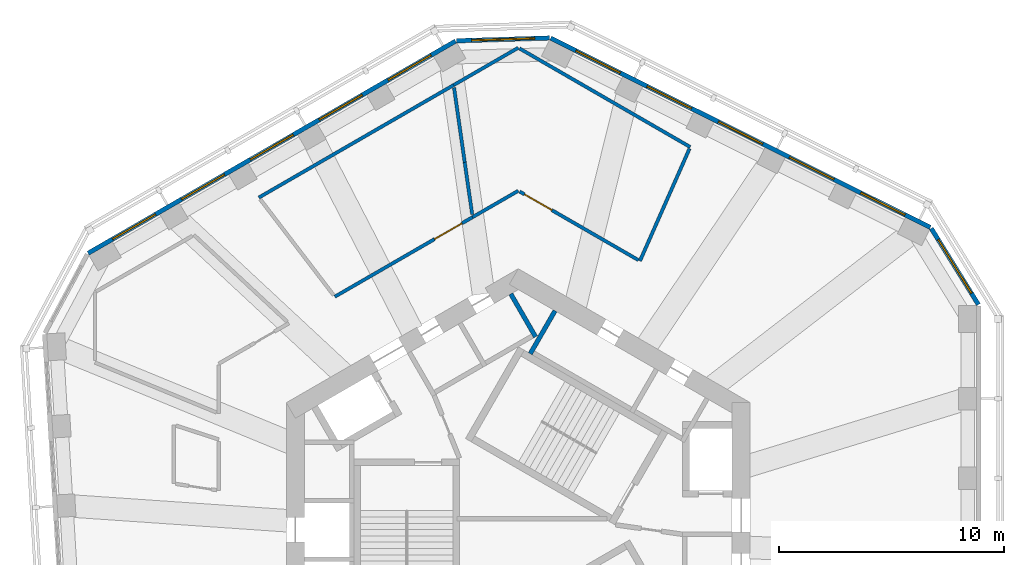
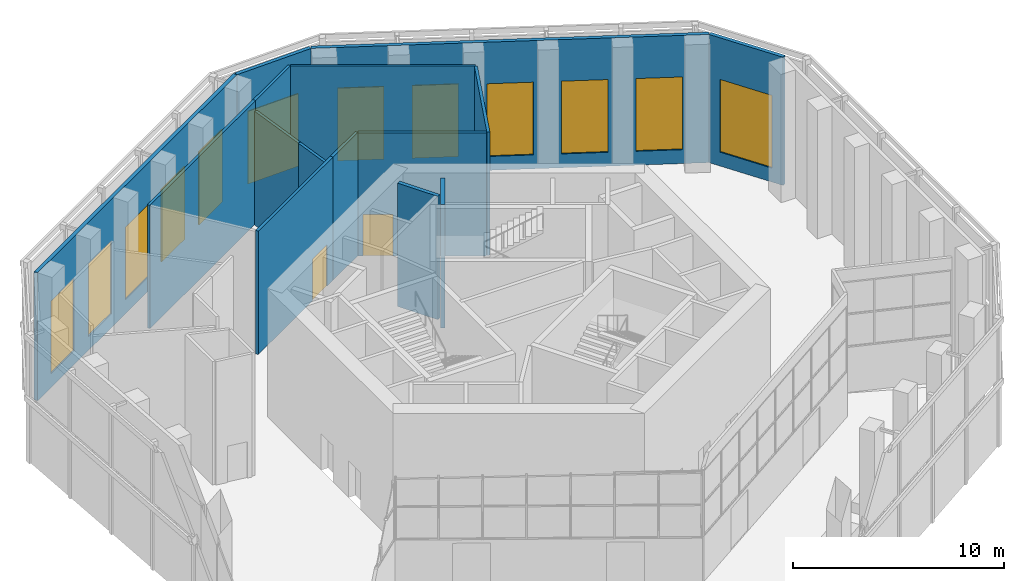
# One storey, part 11 of 17: 15 walls, 12 windows, 2 doors, 14 openings.
"""IFC4 building model written with IfcOpenShell, lengths in metres."""

import ifcopenshell
import ifcopenshell.guid

model = None  # the IFC model being written
_history = None  # IfcOwnerHistory: only IFC2X3 demands one
_inside = {}  # id of a spatial element -> (the spatial element, [elements in it])
_under = {}  # id of a project, library or spatial element -> (it, [spatial elements below it])
_declared = {}  # id of a project -> (the project, [libraries it declares])
_typed = {}  # id of a type object -> (the type object, [elements of that type])
_made_of = {}  # id of a material, layer set ... -> (it, [elements and type objects made of it])


def new_model(schema):
    """Start an empty IFC model of exactly this schema.

    Asked for "IFC4X3", IfcOpenShell would pick the latest addendum, in which some entities
    have other attributes; the version numbers below select the first issue.
    IFC2X3 requires an IfcOwnerHistory on every rooted entity: one is made here for all.
    """
    global model, _history
    if schema == "IFC4X3":
        model = ifcopenshell.file(schema_version=(4, 3, 0, 0))
    else:
        model = ifcopenshell.file(schema=schema)
    _inside.clear()
    _under.clear()
    _declared.clear()
    _typed.clear()
    _made_of.clear()
    _history = None
    if model.schema == "IFC2X3":
        org = make("IfcOrganization", Name="unknown")
        user = make(
            "IfcPersonAndOrganization",
            ThePerson=make("IfcPerson", FamilyName="unknown"),
            TheOrganization=org,
        )
        app = make(
            "IfcApplication",
            ApplicationDeveloper=org,
            Version="unknown",
            ApplicationFullName="unknown",
            ApplicationIdentifier="unknown",
        )
        _history = make(
            "IfcOwnerHistory",
            OwningUser=user,
            OwningApplication=app,
            ChangeAction="ADDED",
            CreationDate=0,
        )
    return model


def make(cls, **values):
    """One entity of the class cls with the attributes given. An attribute that is None is left unset."""
    return model.create_entity(
        cls, **{name: value for name, value in values.items() if value is not None}
    )


def rooted(cls, **values):
    """An entity with a GlobalId (a new one), such as an element, a storey or a relation."""
    return make(cls, GlobalId=ifcopenshell.guid.new(), OwnerHistory=_history, **values)


def si_unit(unit_type, name, prefix=None):
    """IfcSIUnit, for example si_unit("LENGTHUNIT", "METRE", prefix="MILLI")."""
    return make("IfcSIUnit", UnitType=unit_type, Prefix=prefix, Name=name)


def assignment(units):
    """IfcUnitAssignment: the units of a project."""
    return None if units is None else make("IfcUnitAssignment", Units=units)


def point(xyz):
    """IfcCartesianPoint."""
    return None if xyz is None else make("IfcCartesianPoint", Coordinates=xyz)


def direction(xyz):
    """IfcDirection."""
    return None if xyz is None else make("IfcDirection", DirectionRatios=xyz)


def frame(location, z_axis=None, x_axis=None):
    """IfcAxis2Placement3D, a coordinate frame: its origin and axes. An axis left out is left unset."""
    return make(
        "IfcAxis2Placement3D",
        Location=point(location),
        Axis=direction(z_axis),
        RefDirection=direction(x_axis),
    )


def frame_2d(location, x_axis=None):
    """IfcAxis2Placement2D, a coordinate frame in the plane: its origin and x axis."""
    return make(
        "IfcAxis2Placement2D", Location=point(location), RefDirection=direction(x_axis)
    )


def origin():
    """The frame at (0, 0, 0) with its axes left unset."""
    return frame((0.0, 0.0, 0.0))


def place(relative_to, where):
    """IfcLocalPlacement: puts the frame where relative to a parent placement (None: the world)."""
    return make(
        "IfcLocalPlacement", PlacementRelTo=relative_to, RelativePlacement=where
    )


def context(
    kind, dimensions, precision=None, world=None, true_north=None, identifier=None
):
    """IfcGeometricRepresentationContext, for example the 3D "Model" context."""
    return make(
        "IfcGeometricRepresentationContext",
        ContextIdentifier=identifier,
        ContextType=kind,
        CoordinateSpaceDimension=dimensions,
        Precision=precision,
        WorldCoordinateSystem=world,
        TrueNorth=true_north,
    )


def subcontext(parent, identifier, kind, view, scale=None):
    """IfcGeometricRepresentationSubContext, for example "Body" below "Model"."""
    return make(
        "IfcGeometricRepresentationSubContext",
        ContextIdentifier=identifier,
        ContextType=kind,
        ParentContext=parent,
        TargetScale=scale,
        TargetView=view,
    )


def project(units=None, contexts=None):
    """IfcProject with its units and contexts."""
    return rooted(
        "IfcProject",
        Name="project",
        RepresentationContexts=contexts,
        UnitsInContext=assignment(units),
    )


def spatial(cls, under=None, at=None, **own):
    """A site, building, storey or space (cls), placed at a placement, below another one or the project."""
    s = rooted(cls, ObjectPlacement=at, **own)
    if under is not None:
        _under.setdefault(under.id(), (under, []))[1].append(s)
    return s


def profile(cls, at=None, kind="AREA", **sizes):
    """A parametric profile (cls). Its sizes go by their IFC names, for example OverallWidth=200.0."""
    return make(cls, ProfileType=kind, Position=at, **sizes)


def rectangle(**sizes):
    """IfcRectangleProfileDef."""
    return profile("IfcRectangleProfileDef", **sizes)


def extrude(swept, where, along, depth):
    """IfcExtrudedAreaSolid: the profile swept, set in the frame where, extruded along a direction by depth."""
    return make(
        "IfcExtrudedAreaSolid",
        SweptArea=swept,
        Position=where,
        ExtrudedDirection=direction(along),
        Depth=depth,
    )


def shape(context_of_items, identifier, shape_type, items):
    """IfcShapeRepresentation: the items that make up one representation, for example the "Body"."""
    return make(
        "IfcShapeRepresentation",
        ContextOfItems=context_of_items,
        RepresentationIdentifier=identifier,
        RepresentationType=shape_type,
        Items=items,
    )


def material(Name=None, Category=None):
    """IfcMaterial."""
    return make("IfcMaterial", Name=Name, Category=Category)


def layer(
    of_material, thickness, ventilated=None, Name=None, Category=None, Priority=None
):
    """IfcMaterialLayer: one layer of a wall or slab, of a material (None: an air gap)."""
    return make(
        "IfcMaterialLayer",
        Material=of_material,
        LayerThickness=thickness,
        IsVentilated=ventilated,
        Name=Name,
        Category=Category,
        Priority=Priority,
    )


def layer_set(layers, Name=None):
    """IfcMaterialLayerSet."""
    return make("IfcMaterialLayerSet", MaterialLayers=layers, LayerSetName=Name)


def made_of(thing, what):
    """Note that an element or type object is made of a material, layer set ...; save() writes the relation."""
    if what is not None:
        _made_of.setdefault(what.id(), (what, []))[1].append(thing)
    return thing


def type_object(cls, material=None, **own):
    """A type object (cls), such as IfcWallType, which elements share."""
    return made_of(rooted(cls, **own), material)


def element(
    cls,
    number,
    at=None,
    inside=None,
    cuts=None,
    type_object=None,
    material=None,
    context=None,
    identifier="Body",
    shape_type=None,
    held_by="IfcProductDefinitionShape",
    body=None,
    shapes=None,
    **own,
):
    """One element of the class cls, such as IfcWall. Its Tag is "e" and its number.

    at: its placement. inside: the storey or other place that contains it. cuts: it is an
    opening in that element (IfcRelVoidsElement). A single representation is given by context,
    identifier, shape_type and body (its items); several are given by shapes. held_by: the class
    of the entity that holds the representations. save() writes the other relations.
    """
    e = rooted(cls, Tag="e%d" % number, ObjectPlacement=at, **own)
    if body is not None:
        shapes = [shape(context, identifier, shape_type, body)]
    if shapes is not None:
        e.Representation = make(held_by, Representations=shapes)
    if inside is not None:
        _inside.setdefault(inside.id(), (inside, []))[1].append(e)
    if cuts is not None:
        rooted(
            "IfcRelVoidsElement", RelatingBuildingElement=cuts, RelatedOpeningElement=e
        )
    if type_object is not None:
        _typed.setdefault(type_object.id(), (type_object, []))[1].append(e)
    return made_of(e, material)


def fill(opening, filler):
    """IfcRelFillsElement: the door or window that sits in an opening."""
    return rooted(
        "IfcRelFillsElement",
        RelatingOpeningElement=opening,
        RelatedBuildingElement=filler,
    )


def aggregate(whole, parts):
    """IfcRelAggregates: a whole, such as a stair, and the parts it consists of."""
    return rooted("IfcRelAggregates", RelatingObject=whole, RelatedObjects=parts)


def save(model, path):
    """Write the relations noted so far, then the file.

    IfcRelAggregates (storeys below a building ...), IfcRelContainedInSpatialStructure (elements
    in a storey), IfcRelDefinesByType, IfcRelAssociatesMaterial and IfcRelDeclares: one each for
    every whole, place, type object, material and project.
    """
    for whole, parts in _under.values():
        aggregate(whole, parts)
    for where, things in _inside.values():
        rooted(
            "IfcRelContainedInSpatialStructure",
            RelatedElements=things,
            RelatingStructure=where,
        )
    for kind, things in _typed.values():
        rooted("IfcRelDefinesByType", RelatedObjects=things, RelatingType=kind)
    for what, things in _made_of.values():
        rooted("IfcRelAssociatesMaterial", RelatedObjects=things, RelatingMaterial=what)
    for by, libraries in _declared.values():
        rooted("IfcRelDeclares", RelatingContext=by, RelatedDefinitions=libraries)
    model.write(path)


model = new_model("IFC4")

# Units and contexts
model_context = context("Model", 3, precision=1e-05, world=origin(), true_north=direction((0.0, 1.0)))
body_context = subcontext(model_context, "Body", "Model", "MODEL_VIEW")
ifc_project = project(units=[si_unit("LENGTHUNIT", "METRE"), si_unit("AREAUNIT", "SQUARE_METRE"), si_unit("VOLUMEUNIT", "CUBIC_METRE"), si_unit("PLANEANGLEUNIT", "RADIAN"), si_unit("MASSUNIT", "GRAM", prefix="KILO")], contexts=[model_context])

# Site, building, storey
site_placement = place(None, origin())
site = spatial("IfcSite", under=ifc_project, at=site_placement, CompositionType="ELEMENT")
building_placement = place(site_placement, origin())
building = spatial("IfcBuilding", under=site, at=building_placement, Name="Vanh Sen Convention Tower", CompositionType="ELEMENT")
storey_placement = place(building_placement, frame((0.0, 0.0, 214.300048828125)))
storey = spatial("IfcBuildingStorey", under=building, at=storey_placement, Name="L53", CompositionType="ELEMENT", Elevation=214.300048828125)

# Wall, opening, window
ifc_material_1 = material(Name="Insulated lightweight infill wall")
ifc_layer_1 = layer(ifc_material_1, 0.199951171875)
ifc_layer_set_1 = layer_set([ifc_layer_1], Name="Insulated lightweight infill wall")
wall_type_1 = type_object("IfcWallType", Name="External wall 200", PredefinedType="STANDARD", material=ifc_layer_set_1)
wall_1_placement = place(storey_placement, frame((20.43505859375, 10.3037109375, 0.0), z_axis=(0.0, 0.0, 1.0), x_axis=(-0.526202661606, 0.850359194058, 0.0)))
wall_1 = element("IfcWall", 1, at=wall_1_placement, inside=storey, type_object=wall_type_1, Name="External wall CH1 L53", PredefinedType="STANDARD", context=body_context, shape_type="SweptSolid", body=[
    extrude(rectangle(XDim=3.982666015625, YDim=0.199951171875, at=frame_2d((1.9912109375, 0.0))), origin(), (0.0, 0.0, 1.0), 7.39990234375),
])
opening_1_placement = place(wall_1_placement, frame((0.59130859375, 0.0, 0.800048828125)))
opening_1 = element("IfcOpeningElement", 2, at=opening_1_placement, cuts=wall_1, Name="Opening WS3-CH11", PredefinedType="OPENING", context=body_context, shape_type="SweptSolid", body=[
    extrude(rectangle(XDim=2.800048828125, YDim=4.199951171875, at=frame_2d((1.39990234375, 2.10009765625))), frame((0.0, 0.10986328125, 0.0), z_axis=(0.0, -1.0, 0.0), x_axis=(1.0, 0.0, 0.0)), (0.0, 0.0, 1.0), 0.219970703125),
])
ifc_material_2 = material(Name="Aluminium frame with clear low-emissivity glass", Category="aluminium")
window_type_1 = type_object("IfcWindowType", Name="Sky garden window 2800 x 4200", PartitioningType="SINGLE_PANEL", PredefinedType="WINDOW", material=ifc_material_2)
window_1_placement = place(opening_1_placement, origin())
window_1 = element("IfcWindow", 3, at=window_1_placement, inside=storey, type_object=window_type_1, Name="Window WS3-CH11", OverallHeight=4.199951171875, OverallWidth=2.800048828125, PartitioningType="SINGLE_PANEL", PredefinedType="WINDOW", context=body_context, shape_type="SweptSolid", body=[
    extrude(rectangle(XDim=2.800048828125, YDim=4.199951171875, at=frame_2d((1.39990234375, 2.10009765625))), frame((0.0, 0.030029296875, 0.0), z_axis=(0.0, -1.0, 0.0), x_axis=(1.0, 0.0, 0.0)), (0.0, 0.0, 1.0), 0.06005859375),
])
fill(opening_1, window_1)

# Wall, openings, windows
wall_2_placement = place(storey_placement, frame((18.298828125, 13.727294921875, 0.0), z_axis=(0.0, 0.0, 1.0), x_axis=(-0.894934554817, 0.44619742558, 0.0)))
wall_2 = element("IfcWall", 4, at=wall_2_placement, inside=storey, type_object=wall_type_1, Name="External wall NE L53", PredefinedType="STANDARD", context=body_context, shape_type="SweptSolid", body=[
    extrude(rectangle(XDim=18.84130859375, YDim=0.199951171875, at=frame_2d((9.420654296875, 0.0))), origin(), (0.0, 0.0, 1.0), 7.39990234375),
])
opening_2_placement = place(wall_2_placement, frame((1.252685546875, 0.0, 0.800048828125)))
opening_2 = element("IfcOpeningElement", 5, at=opening_2_placement, cuts=wall_2, Name="Opening WS4-NE1", PredefinedType="OPENING", context=body_context, shape_type="SweptSolid", body=[
    extrude(rectangle(XDim=2.199951171875, YDim=4.199951171875, at=frame_2d((1.10009765625, 2.10009765625))), frame((0.0, 0.10986328125, 0.0), z_axis=(0.0, -1.0, 0.0), x_axis=(1.0, 0.0, 0.0)), (0.0, 0.0, 1.0), 0.219970703125),
])
opening_3_placement = place(wall_2_placement, frame((4.7861328125, 0.0, 0.800048828125)))
opening_3 = element("IfcOpeningElement", 6, at=opening_3_placement, cuts=wall_2, Name="Opening WS4-NE2", PredefinedType="OPENING", context=body_context, shape_type="SweptSolid", body=[
    extrude(rectangle(XDim=2.199951171875, YDim=4.199951171875, at=frame_2d((1.10009765625, 2.10009765625))), frame((0.0, 0.10986328125, 0.0), z_axis=(0.0, -1.0, 0.0), x_axis=(1.0, 0.0, 0.0)), (0.0, 0.0, 1.0), 0.219970703125),
])
opening_4_placement = place(wall_2_placement, frame((8.31982421875, 0.0, 0.800048828125)))
opening_4 = element("IfcOpeningElement", 7, at=opening_4_placement, cuts=wall_2, Name="Opening WS4-NE3", PredefinedType="OPENING", context=body_context, shape_type="SweptSolid", body=[
    extrude(rectangle(XDim=2.199951171875, YDim=4.199951171875, at=frame_2d((1.10009765625, 2.10009765625))), frame((0.0, 0.10986328125, 0.0), z_axis=(0.0, -1.0, 0.0), x_axis=(1.0, 0.0, 0.0)), (0.0, 0.0, 1.0), 0.219970703125),
])
opening_5_placement = place(wall_2_placement, frame((11.853515625, 0.0, 0.800048828125)))
opening_5 = element("IfcOpeningElement", 8, at=opening_5_placement, cuts=wall_2, Name="Opening WS4-NE4", PredefinedType="OPENING", context=body_context, shape_type="SweptSolid", body=[
    extrude(rectangle(XDim=2.199951171875, YDim=4.199951171875, at=frame_2d((1.10009765625, 2.10009765625))), frame((0.0, 0.10986328125, 0.0), z_axis=(0.0, -1.0, 0.0), x_axis=(1.0, 0.0, 0.0)), (0.0, 0.0, 1.0), 0.219970703125),
])
opening_6_placement = place(wall_2_placement, frame((15.38720703125, 0.0, 0.800048828125)))
opening_6 = element("IfcOpeningElement", 9, at=opening_6_placement, cuts=wall_2, Name="Opening WS4-NE5", PredefinedType="OPENING", context=body_context, shape_type="SweptSolid", body=[
    extrude(rectangle(XDim=2.199951171875, YDim=4.199951171875, at=frame_2d((1.10009765625, 2.10009765625))), frame((0.0, 0.10986328125, 0.0), z_axis=(0.0, -1.0, 0.0), x_axis=(1.0, 0.0, 0.0)), (0.0, 0.0, 1.0), 0.219970703125),
])
window_type_2 = type_object("IfcWindowType", Name="Sky garden window 2200 x 4200", PartitioningType="SINGLE_PANEL", PredefinedType="WINDOW", material=ifc_material_2)
window_2_placement = place(opening_2_placement, origin())
window_2 = element("IfcWindow", 10, at=window_2_placement, inside=storey, type_object=window_type_2, Name="Window WS4-NE1", OverallHeight=4.199951171875, OverallWidth=2.199951171875, PartitioningType="SINGLE_PANEL", PredefinedType="WINDOW", context=body_context, shape_type="SweptSolid", body=[
    extrude(rectangle(XDim=2.199951171875, YDim=4.199951171875, at=frame_2d((1.10009765625, 2.10009765625))), frame((0.0, 0.030029296875, 0.0), z_axis=(0.0, -1.0, 0.0), x_axis=(1.0, 0.0, 0.0)), (0.0, 0.0, 1.0), 0.06005859375),
])
fill(opening_2, window_2)
window_3_placement = place(opening_3_placement, origin())
window_3 = element("IfcWindow", 11, at=window_3_placement, inside=storey, type_object=window_type_2, Name="Window WS4-NE2", OverallHeight=4.199951171875, OverallWidth=2.199951171875, PartitioningType="SINGLE_PANEL", PredefinedType="WINDOW", context=body_context, shape_type="SweptSolid", body=[
    extrude(rectangle(XDim=2.199951171875, YDim=4.199951171875, at=frame_2d((1.10009765625, 2.10009765625))), frame((0.0, 0.030029296875, 0.0), z_axis=(0.0, -1.0, 0.0), x_axis=(1.0, 0.0, 0.0)), (0.0, 0.0, 1.0), 0.06005859375),
])
fill(opening_3, window_3)
window_4_placement = place(opening_4_placement, origin())
window_4 = element("IfcWindow", 12, at=window_4_placement, inside=storey, type_object=window_type_2, Name="Window WS4-NE3", OverallHeight=4.199951171875, OverallWidth=2.199951171875, PartitioningType="SINGLE_PANEL", PredefinedType="WINDOW", context=body_context, shape_type="SweptSolid", body=[
    extrude(rectangle(XDim=2.199951171875, YDim=4.199951171875, at=frame_2d((1.10009765625, 2.10009765625))), frame((0.0, 0.030029296875, 0.0), z_axis=(0.0, -1.0, 0.0), x_axis=(1.0, 0.0, 0.0)), (0.0, 0.0, 1.0), 0.06005859375),
])
fill(opening_4, window_4)
window_5_placement = place(opening_5_placement, origin())
window_5 = element("IfcWindow", 13, at=window_5_placement, inside=storey, type_object=window_type_2, Name="Window WS4-NE4", OverallHeight=4.199951171875, OverallWidth=2.199951171875, PartitioningType="SINGLE_PANEL", PredefinedType="WINDOW", context=body_context, shape_type="SweptSolid", body=[
    extrude(rectangle(XDim=2.199951171875, YDim=4.199951171875, at=frame_2d((1.10009765625, 2.10009765625))), frame((0.0, 0.030029296875, 0.0), z_axis=(0.0, -1.0, 0.0), x_axis=(1.0, 0.0, 0.0)), (0.0, 0.0, 1.0), 0.06005859375),
])
fill(opening_5, window_5)
window_6_placement = place(opening_6_placement, origin())
window_6 = element("IfcWindow", 14, at=window_6_placement, inside=storey, type_object=window_type_2, Name="Window WS4-NE5", OverallHeight=4.199951171875, OverallWidth=2.199951171875, PartitioningType="SINGLE_PANEL", PredefinedType="WINDOW", context=body_context, shape_type="SweptSolid", body=[
    extrude(rectangle(XDim=2.199951171875, YDim=4.199951171875, at=frame_2d((1.10009765625, 2.10009765625))), frame((0.0, 0.030029296875, 0.0), z_axis=(0.0, -1.0, 0.0), x_axis=(1.0, 0.0, 0.0)), (0.0, 0.0, 1.0), 0.06005859375),
])
fill(opening_6, window_6)

# Wall, opening, window
wall_3_placement = place(storey_placement, frame((1.389404296875, 22.144775390625, 0.0), z_axis=(0.0, 0.0, 1.0), x_axis=(-0.999534702881, -0.030502093955, 0.0)))
wall_3 = element("IfcWall", 15, at=wall_3_placement, inside=storey, type_object=wall_type_1, Name="External wall CH2 L53", PredefinedType="STANDARD", context=body_context, shape_type="SweptSolid", body=[
    extrude(rectangle(XDim=4.130126953125, YDim=0.199951171875, at=frame_2d((2.06494140625, 0.0))), origin(), (0.0, 0.0, 1.0), 7.39990234375),
])
opening_7_placement = place(wall_3_placement, frame((0.6650390625, 0.0, 0.800048828125)))
opening_7 = element("IfcOpeningElement", 16, at=opening_7_placement, cuts=wall_3, Name="Opening WS3-CH21", PredefinedType="OPENING", context=body_context, shape_type="SweptSolid", body=[
    extrude(rectangle(XDim=2.800048828125, YDim=4.199951171875, at=frame_2d((1.39990234375, 2.10009765625))), frame((0.0, 0.10986328125, 0.0), z_axis=(0.0, -1.0, 0.0), x_axis=(1.0, 0.0, 0.0)), (0.0, 0.0, 1.0), 0.219970703125),
])
window_7_placement = place(opening_7_placement, origin())
window_7 = element("IfcWindow", 17, at=window_7_placement, inside=storey, type_object=window_type_1, Name="Window WS3-CH21", OverallHeight=4.199951171875, OverallWidth=2.800048828125, PartitioningType="SINGLE_PANEL", PredefinedType="WINDOW", context=body_context, shape_type="SweptSolid", body=[
    extrude(rectangle(XDim=2.800048828125, YDim=4.199951171875, at=frame_2d((1.39990234375, 2.10009765625))), frame((0.0, 0.030029296875, 0.0), z_axis=(0.0, -1.0, 0.0), x_axis=(1.0, 0.0, 0.0)), (0.0, 0.0, 1.0), 0.06005859375),
])
fill(opening_7, window_7)

# Wall, openings, windows
wall_4_placement = place(storey_placement, frame((-2.78564453125, 22.00537109375, 0.0), z_axis=(0.0, 0.0, 1.0), x_axis=(-0.866026555358, -0.49999800541, 0.0)))
wall_4 = element("IfcWall", 18, at=wall_4_placement, inside=storey, type_object=wall_type_1, Name="External wall NW L53", PredefinedType="STANDARD", context=body_context, shape_type="SweptSolid", body=[
    extrude(rectangle(XDim=18.84130859375, YDim=0.199951171875, at=frame_2d((9.420654296875, 0.0))), origin(), (0.0, 0.0, 1.0), 7.39990234375),
])
opening_8_placement = place(wall_4_placement, frame((1.254150390625, 0.0, 0.800048828125)))
opening_8 = element("IfcOpeningElement", 19, at=opening_8_placement, cuts=wall_4, Name="Opening WS4-NW1", PredefinedType="OPENING", context=body_context, shape_type="SweptSolid", body=[
    extrude(rectangle(XDim=2.199951171875, YDim=4.199951171875, at=frame_2d((1.10009765625, 2.10009765625))), frame((0.0, 0.10986328125, 0.0), z_axis=(0.0, -1.0, 0.0), x_axis=(1.0, 0.0, 0.0)), (0.0, 0.0, 1.0), 0.219970703125),
])
opening_9_placement = place(wall_4_placement, frame((4.787841796875, 0.0, 0.800048828125)))
opening_9 = element("IfcOpeningElement", 20, at=opening_9_placement, cuts=wall_4, Name="Opening WS4-NW2", PredefinedType="OPENING", context=body_context, shape_type="SweptSolid", body=[
    extrude(rectangle(XDim=2.199951171875, YDim=4.199951171875, at=frame_2d((1.10009765625, 2.10009765625))), frame((0.0, 0.10986328125, 0.0), z_axis=(0.0, -1.0, 0.0), x_axis=(1.0, 0.0, 0.0)), (0.0, 0.0, 1.0), 0.219970703125),
])
opening_10_placement = place(wall_4_placement, frame((8.3212890625, 0.0, 0.800048828125)))
opening_10 = element("IfcOpeningElement", 21, at=opening_10_placement, cuts=wall_4, Name="Opening WS4-NW3", PredefinedType="OPENING", context=body_context, shape_type="SweptSolid", body=[
    extrude(rectangle(XDim=2.199951171875, YDim=4.199951171875, at=frame_2d((1.10009765625, 2.10009765625))), frame((0.0, 0.10986328125, 0.0), z_axis=(0.0, -1.0, 0.0), x_axis=(1.0, 0.0, 0.0)), (0.0, 0.0, 1.0), 0.219970703125),
])
opening_11_placement = place(wall_4_placement, frame((11.85498046875, 0.0, 0.800048828125)))
opening_11 = element("IfcOpeningElement", 22, at=opening_11_placement, cuts=wall_4, Name="Opening WS4-NW4", PredefinedType="OPENING", context=body_context, shape_type="SweptSolid", body=[
    extrude(rectangle(XDim=2.199951171875, YDim=4.199951171875, at=frame_2d((1.10009765625, 2.10009765625))), frame((0.0, 0.10986328125, 0.0), z_axis=(0.0, -1.0, 0.0), x_axis=(1.0, 0.0, 0.0)), (0.0, 0.0, 1.0), 0.219970703125),
])
opening_12_placement = place(wall_4_placement, frame((15.388671875, 0.0, 0.800048828125)))
opening_12 = element("IfcOpeningElement", 23, at=opening_12_placement, cuts=wall_4, Name="Opening WS4-NW5", PredefinedType="OPENING", context=body_context, shape_type="SweptSolid", body=[
    extrude(rectangle(XDim=2.199951171875, YDim=4.199951171875, at=frame_2d((1.10009765625, 2.10009765625))), frame((0.0, 0.10986328125, 0.0), z_axis=(0.0, -1.0, 0.0), x_axis=(1.0, 0.0, 0.0)), (0.0, 0.0, 1.0), 0.219970703125),
])
window_8_placement = place(opening_8_placement, origin())
window_8 = element("IfcWindow", 24, at=window_8_placement, inside=storey, type_object=window_type_2, Name="Window WS4-NW1", OverallHeight=4.199951171875, OverallWidth=2.199951171875, PartitioningType="SINGLE_PANEL", PredefinedType="WINDOW", context=body_context, shape_type="SweptSolid", body=[
    extrude(rectangle(XDim=2.199951171875, YDim=4.199951171875, at=frame_2d((1.10009765625, 2.10009765625))), frame((0.0, 0.030029296875, 0.0), z_axis=(0.0, -1.0, 0.0), x_axis=(1.0, 0.0, 0.0)), (0.0, 0.0, 1.0), 0.06005859375),
])
fill(opening_8, window_8)
window_9_placement = place(opening_9_placement, origin())
window_9 = element("IfcWindow", 25, at=window_9_placement, inside=storey, type_object=window_type_2, Name="Window WS4-NW2", OverallHeight=4.199951171875, OverallWidth=2.199951171875, PartitioningType="SINGLE_PANEL", PredefinedType="WINDOW", context=body_context, shape_type="SweptSolid", body=[
    extrude(rectangle(XDim=2.199951171875, YDim=4.199951171875, at=frame_2d((1.10009765625, 2.10009765625))), frame((0.0, 0.030029296875, 0.0), z_axis=(0.0, -1.0, 0.0), x_axis=(1.0, 0.0, 0.0)), (0.0, 0.0, 1.0), 0.06005859375),
])
fill(opening_9, window_9)
window_10_placement = place(opening_10_placement, origin())
window_10 = element("IfcWindow", 26, at=window_10_placement, inside=storey, type_object=window_type_2, Name="Window WS4-NW3", OverallHeight=4.199951171875, OverallWidth=2.199951171875, PartitioningType="SINGLE_PANEL", PredefinedType="WINDOW", context=body_context, shape_type="SweptSolid", body=[
    extrude(rectangle(XDim=2.199951171875, YDim=4.199951171875, at=frame_2d((1.10009765625, 2.10009765625))), frame((0.0, 0.030029296875, 0.0), z_axis=(0.0, -1.0, 0.0), x_axis=(1.0, 0.0, 0.0)), (0.0, 0.0, 1.0), 0.06005859375),
])
fill(opening_10, window_10)
window_11_placement = place(opening_11_placement, origin())
window_11 = element("IfcWindow", 27, at=window_11_placement, inside=storey, type_object=window_type_2, Name="Window WS4-NW4", OverallHeight=4.199951171875, OverallWidth=2.199951171875, PartitioningType="SINGLE_PANEL", PredefinedType="WINDOW", context=body_context, shape_type="SweptSolid", body=[
    extrude(rectangle(XDim=2.199951171875, YDim=4.199951171875, at=frame_2d((1.10009765625, 2.10009765625))), frame((0.0, 0.030029296875, 0.0), z_axis=(0.0, -1.0, 0.0), x_axis=(1.0, 0.0, 0.0)), (0.0, 0.0, 1.0), 0.06005859375),
])
fill(opening_11, window_11)
window_12_placement = place(opening_12_placement, origin())
window_12 = element("IfcWindow", 28, at=window_12_placement, inside=storey, type_object=window_type_2, Name="Window WS4-NW5", OverallHeight=4.199951171875, OverallWidth=2.199951171875, PartitioningType="SINGLE_PANEL", PredefinedType="WINDOW", context=body_context, shape_type="SweptSolid", body=[
    extrude(rectangle(XDim=2.199951171875, YDim=4.199951171875, at=frame_2d((1.10009765625, 2.10009765625))), frame((0.0, 0.030029296875, 0.0), z_axis=(0.0, -1.0, 0.0), x_axis=(1.0, 0.0, 0.0)), (0.0, 0.0, 1.0), 0.06005859375),
])
fill(opening_12, window_12)

# Walls
ifc_material_3 = material(Name="Concrete C40/50", Category="concrete")
ifc_layer_2 = layer(ifc_material_3, 0.199951171875)
ifc_layer_set_2 = layer_set([ifc_layer_2], Name="Concrete C40/50")
wall_type_2 = type_object("IfcWallType", Name="Lift shaft wall 200", PredefinedType="PARTITIONING", material=ifc_layer_set_2)
wall_5_placement = place(storey_placement, frame((0.5322265625, 8.1220703125, 0.0), z_axis=(0.0, 0.0, 1.0), x_axis=(0.500077893725, 0.86598042715, 0.0)))
element("IfcWall", 29, at=wall_5_placement, inside=storey, type_object=wall_type_2, Name="Lift shaft wall L53", PredefinedType="PARTITIONING", context=body_context, shape_type="SweptSolid", body=[
    extrude(rectangle(XDim=2.199951171875, YDim=0.199951171875, at=frame_2d((1.10009765625, 0.0))), origin(), (0.0, 0.0, 1.0), 7.119873046875),
])
wall_6_placement = place(storey_placement, frame((0.7666015625, 8.8720703125, 0.0), z_axis=(0.0, 0.0, 1.0), x_axis=(-0.499994660107, 0.866028486751, 0.0)))
element("IfcWall", 30, at=wall_6_placement, inside=storey, type_object=wall_type_2, Name="Lift shaft wall L53", PredefinedType="PARTITIONING", context=body_context, shape_type="SweptSolid", body=[
    extrude(rectangle(XDim=2.19970703125, YDim=0.199951171875, at=frame_2d((1.099853515625, 0.0))), origin(), (0.0, 0.0, 1.0), 7.119873046875),
])

# Wall, opening, door
ifc_material_4 = material(Name="Gypsum board on steel studs", Category="steel")
ifc_layer_3 = layer(ifc_material_4, 0.14990234375)
ifc_layer_set_3 = layer_set([ifc_layer_3], Name="Gypsum board on steel studs")
wall_type_3 = type_object("IfcWallType", Name="Partition 150 EI 60", PredefinedType="PARTITIONING", material=ifc_layer_set_3)
wall_7_placement = place(storey_placement, frame((5.332763671875, 12.279052734375, 0.0), z_axis=(0.0, 0.0, 1.0), x_axis=(-0.86606339888, 0.499934184788, 0.0)))
wall_7 = element("IfcWall", 31, at=wall_7_placement, inside=storey, type_object=wall_type_3, Name="Partition L53-012", PredefinedType="PARTITIONING", context=body_context, shape_type="SweptSolid", body=[
    extrude(rectangle(XDim=6.088623046875, YDim=0.14990234375, at=frame_2d((3.04443359375, 0.0))), origin(), (0.0, 0.0, 1.0), 7.119873046875),
])
opening_13_placement = place(wall_7_placement, frame((4.438720703125, 0.0, 0.0)))
opening_13 = element("IfcOpeningElement", 32, at=opening_13_placement, cuts=wall_7, Name="Opening D53103", PredefinedType="OPENING", context=body_context, shape_type="SweptSolid", body=[
    extrude(rectangle(XDim=1.39990234375, YDim=2.39990234375, at=frame_2d((0.699951171875, 1.199951171875))), frame((0.0, 0.0849609375, 0.0), z_axis=(0.0, -1.0, 0.0), x_axis=(1.0, 0.0, 0.0)), (0.0, 0.0, 1.0), 0.169921875),
])
ifc_material_5 = material(Name="Timber door in steel frame", Category="steel")
door_type = type_object("IfcDoorType", Name="Double door 1400 EI 30", OperationType="SINGLE_SWING_LEFT", PredefinedType="DOOR", material=ifc_material_5)
door_1_placement = place(opening_13_placement, origin())
door_1 = element("IfcDoor", 33, at=door_1_placement, inside=storey, type_object=door_type, Name="Double door D53103", OperationType="SINGLE_SWING_LEFT", OverallHeight=2.39990234375, OverallWidth=1.39990234375, PredefinedType="DOOR", context=body_context, shape_type="SweptSolid", body=[
    extrude(rectangle(XDim=1.39990234375, YDim=2.39990234375, at=frame_2d((0.699951171875, 1.199951171875))), frame((0.0, 0.02490234375, 0.0), z_axis=(0.0, -1.0, 0.0), x_axis=(1.0, 0.0, 0.0)), (0.0, 0.0, 1.0), 0.050048828125),
])
fill(opening_13, door_1)

wall_8_placement = place(storey_placement, frame((-2.029541015625, 14.185546875, 0.0), z_axis=(0.0, 0.0, 1.0), x_axis=(-0.866034287694, -0.499984612302, 0.0)))
wall_8 = element("IfcWall", 34, at=wall_8_placement, inside=storey, type_object=wall_type_3, Name="Partition L53-014", PredefinedType="PARTITIONING", context=body_context, shape_type="SweptSolid", body=[
    extrude(rectangle(XDim=7.067138671875, YDim=0.14990234375, at=frame_2d((3.53369140625, 0.0))), origin(), (0.0, 0.0, 1.0), 7.119873046875),
])
opening_14_placement = place(wall_8_placement, frame((0.550048828125, 0.0, 0.0)))
opening_14 = element("IfcOpeningElement", 35, at=opening_14_placement, cuts=wall_8, Name="Opening D53104", PredefinedType="OPENING", context=body_context, shape_type="SweptSolid", body=[
    extrude(rectangle(XDim=1.39990234375, YDim=2.39990234375, at=frame_2d((0.699951171875, 1.199951171875))), frame((0.0, 0.0849609375, 0.0), z_axis=(0.0, -1.0, 0.0), x_axis=(1.0, 0.0, 0.0)), (0.0, 0.0, 1.0), 0.169921875),
])
door_2_placement = place(opening_14_placement, origin())
door_2 = element("IfcDoor", 36, at=door_2_placement, inside=storey, type_object=door_type, Name="Double door D53104", OperationType="SINGLE_SWING_LEFT", OverallHeight=2.39990234375, OverallWidth=1.39990234375, PredefinedType="DOOR", context=body_context, shape_type="SweptSolid", body=[
    extrude(rectangle(XDim=1.39990234375, YDim=2.39990234375, at=frame_2d((0.699951171875, 1.199951171875))), frame((0.0, 0.02490234375, 0.0), z_axis=(0.0, -1.0, 0.0), x_axis=(1.0, 0.0, 0.0)), (0.0, 0.0, 1.0), 0.050048828125),
])
fill(opening_14, door_2)

# Walls
wall_9_placement = place(storey_placement, frame((-11.5205078125, 15.056884765625, 0.0), z_axis=(0.0, 0.0, 1.0), x_axis=(0.866020763381, 0.500008037328, 0.0)))
element("IfcWall", 37, at=wall_9_placement, inside=storey, type_object=wall_type_3, Name="Partition L53-015", PredefinedType="PARTITIONING", context=body_context, shape_type="SweptSolid", body=[
    extrude(rectangle(XDim=9.989990234375, YDim=0.14990234375, at=frame_2d((4.9951171875, 0.0))), origin(), (0.0, 0.0, 1.0), 7.119873046875),
])
wall_10_placement = place(storey_placement, frame((0.0, 15.357421875, 0.0), z_axis=(0.0, 0.0, 1.0), x_axis=(-0.866003425329, -0.50003806587, 0.0)))
element("IfcWall", 38, at=wall_10_placement, inside=storey, type_object=wall_type_3, Name="Partition L53-016", PredefinedType="PARTITIONING", context=body_context, shape_type="SweptSolid", body=[
    extrude(rectangle(XDim=2.343505859375, YDim=0.14990234375, at=frame_2d((1.171875, 0.0))), origin(), (0.0, 0.0, 1.0), 7.119873046875),
])
wall_11_placement = place(storey_placement, frame((-2.37841796875, 16.62255859375, 0.0), z_axis=(0.0, 0.0, 1.0), x_axis=(0.141669455773, -0.989914019146, 0.0)))
element("IfcWall", 39, at=wall_11_placement, inside=storey, type_object=wall_type_3, Name="Partition L53-017", PredefinedType="PARTITIONING", context=body_context, shape_type="SweptSolid", body=[
    extrude(rectangle(XDim=2.342041015625, YDim=0.14990234375, at=frame_2d((1.1708984375, 0.0))), origin(), (0.0, 0.0, 1.0), 6.570068359375),
])
wall_12_placement = place(storey_placement, frame((-2.37841796875, 16.62255859375, 0.0), z_axis=(0.0, 0.0, 1.0), x_axis=(-0.141625761538, 0.98992027137, 0.0)))
element("IfcWall", 40, at=wall_12_placement, inside=storey, type_object=wall_type_3, Name="Partition L53-018", PredefinedType="PARTITIONING", context=body_context, shape_type="SweptSolid", body=[
    extrude(rectangle(XDim=3.34423828125, YDim=0.14990234375, at=frame_2d((1.672119140625, 0.0))), origin(), (0.0, 0.0, 1.0), 6.570068359375),
])
wall_13_placement = place(storey_placement, frame((7.603271484375, 17.226806640625, 0.0), z_axis=(0.0, 0.0, 1.0), x_axis=(-0.403743838664, -0.914872074523, 0.0)))
element("IfcWall", 41, at=wall_13_placement, inside=storey, type_object=wall_type_3, Name="Partition L53-019", PredefinedType="PARTITIONING", context=body_context, shape_type="SweptSolid", body=[
    extrude(rectangle(XDim=5.451904296875, YDim=0.14990234375, at=frame_2d((2.72607421875, 0.0))), origin(), (0.0, 0.0, 1.0), 7.119873046875),
])
wall_14_placement = place(storey_placement, frame((-2.868896484375, 20.052001953125, 0.0), z_axis=(0.0, 0.0, 1.0), x_axis=(0.866007628942, 0.500030785667, 0.0)))
element("IfcWall", 42, at=wall_14_placement, inside=storey, type_object=wall_type_3, Name="Partition L53-020", PredefinedType="PARTITIONING", context=body_context, shape_type="SweptSolid", body=[
    extrude(rectangle(XDim=3.312744140625, YDim=0.14990234375, at=frame_2d((1.65625, 0.0))), origin(), (0.0, 0.0, 1.0), 7.119873046875),
])
wall_15_placement = place(storey_placement, frame((0.052001953125, 21.678466796875, 0.0), z_axis=(0.0, 0.0, 1.0), x_axis=(0.866021227388, -0.500007233661, 0.0)))
element("IfcWall", 43, at=wall_15_placement, inside=storey, type_object=wall_type_3, Name="Partition L53-021", PredefinedType="PARTITIONING", context=body_context, shape_type="SweptSolid", body=[
    extrude(rectangle(XDim=8.756591796875, YDim=0.14990234375, at=frame_2d((4.37841796875, 0.0))), origin(), (0.0, 0.0, 1.0), 7.119873046875),
])

save(model, "model.ifc")
